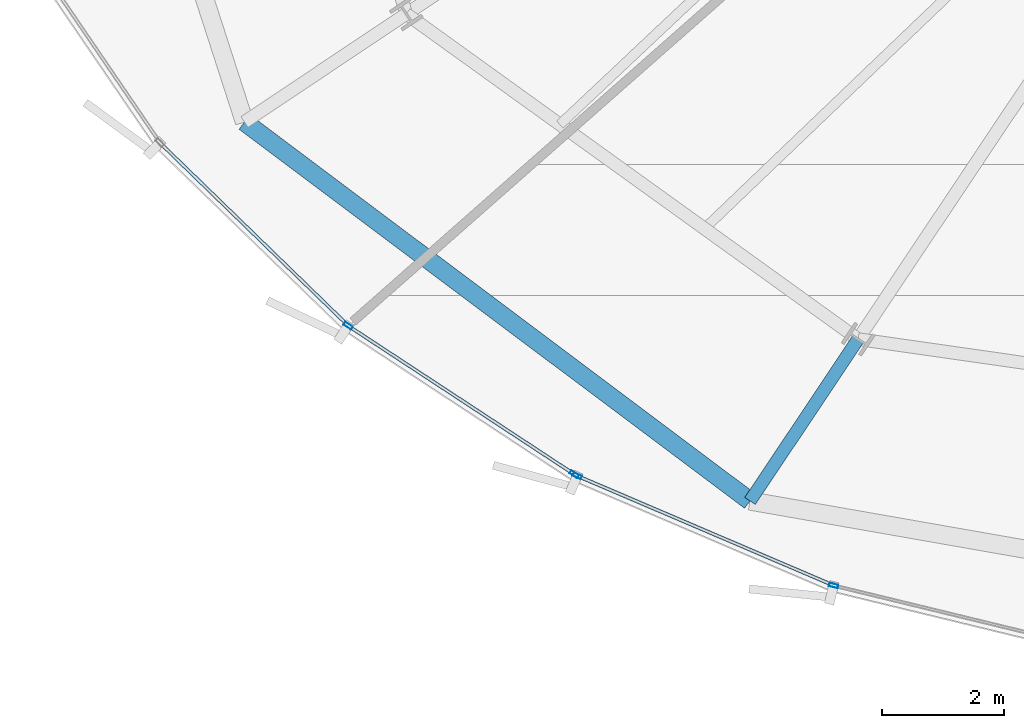
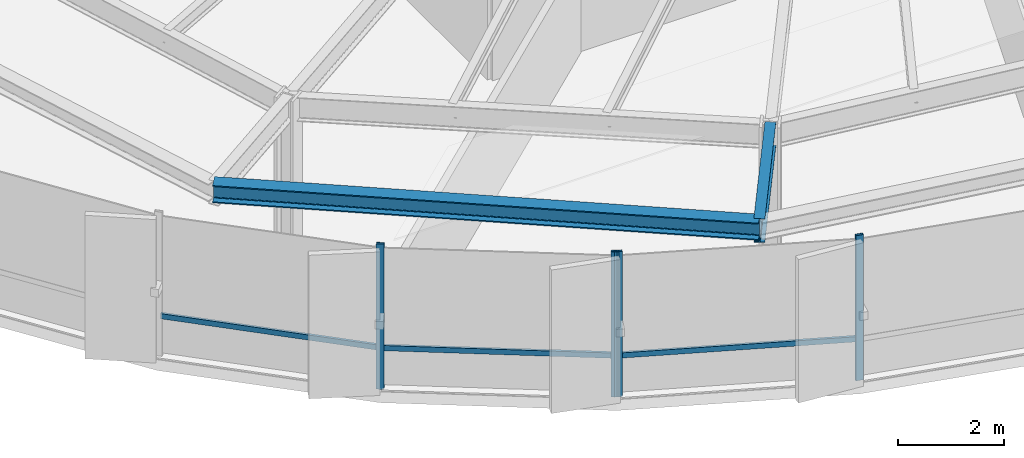
# One storey, part 2 of 35: 7 members, 2 beams, 2 elements without a shape of their own.
"""IFC4 building model written with IfcOpenShell, lengths in metres."""

from ifc_helpers import new_model, si_unit, direction, frame, origin, origin_2d, place, context, subcontext, project, spatial, hollow_rectangle, i_section, extrude, source, transform, mapped, material, layer, layer_set, material_profile, profile_set, type_object, element, aggregate, save


model = new_model("IFC4")

# Units and contexts
model_context = context("Model", 3, precision=1e-05, world=origin(), true_north=direction((0.0, 1.0)))
body_context = subcontext(model_context, "Body", "Model", "MODEL_VIEW")
ifc_project = project(units=[si_unit("LENGTHUNIT", "METRE"), si_unit("AREAUNIT", "SQUARE_METRE"), si_unit("VOLUMEUNIT", "CUBIC_METRE"), si_unit("PLANEANGLEUNIT", "RADIAN"), si_unit("MASSUNIT", "GRAM", prefix="KILO"), si_unit("THERMODYNAMICTEMPERATUREUNIT", "KELVIN")], contexts=[model_context])

# Site, building, storey
site_placement = place(None, origin())
site = spatial("IfcSite", under=ifc_project, at=site_placement, CompositionType="ELEMENT")
building_placement = place(site_placement, origin())
building = spatial("IfcBuilding", under=site, at=building_placement, Name="Kethvar Cultural Tower", CompositionType="ELEMENT")
storey_placement = place(building_placement, frame((0.0, 0.0, 100.0)))
storey = spatial("IfcBuildingStorey", under=building, at=storey_placement, Name="L24", CompositionType="ELEMENT", Elevation=100.0)

# Beams
ifc_material_1 = material(Name="Steel S355J2", Category="steel")
ifc_material_profile_1 = material_profile(ifc_material_1, i_section(OverallWidth=0.2099609375, OverallDepth=0.550048828125, WebThickness=0.010986328125, FlangeThickness=0.01708984375, FilletRadius=0.02392578125, at=origin_2d()), Name="Steel S355J2 — IPE550")
ifc_profile_set_1 = profile_set([ifc_material_profile_1], Name="Steel S355J2 — IPE550")
beam_type_1 = type_object("IfcBeamType", Name="BM-IPE550", PredefinedType="BEAM", material=ifc_profile_set_1)
shared_shape_1 = source(origin(), body_context, "Body", "SweptSolid", [
    extrude(i_section(OverallWidth=0.2099609375, OverallDepth=0.550048828125, WebThickness=0.010986328125, FlangeThickness=0.01708984375, FilletRadius=0.02392578125, at=origin_2d()), origin(), (0.0, 0.0, 1.0), 3.199951171875),
])
beam_1_placement = place(storey_placement, frame((34.350830078125, 9.16845703125, 3.072998046875), z_axis=(-0.555580212716, -0.831462943996, 0.0), x_axis=(0.831462943996, -0.555580212716, 0.0)))
element("IfcBeam", 1, at=beam_1_placement, inside=storey, type_object=beam_type_1, Name="L24 Perimeter Cantilever Beam RC-11", PredefinedType="BEAM", context=body_context, shape_type="MappedRepresentation", body=[
    mapped(shared_shape_1, transform((0.0, 0.0, 0.0), scale=1.0)),
])
ifc_material_profile_2 = material_profile(ifc_material_1, i_section(OverallWidth=0.300048828125, OverallDepth=0.39990234375, WebThickness=0.013427734375, FlangeThickness=0.02392578125, FilletRadius=0.027099609375, at=origin_2d()), Name="Steel S355J2 — HEB400")
ifc_profile_set_2 = profile_set([ifc_material_profile_2], Name="Steel S355J2 — HEB400")
beam_type_2 = type_object("IfcBeamType", Name="BM-SP400", PredefinedType="SPANDREL", material=ifc_profile_set_2)
shared_shape_2 = source(origin(), body_context, "Body", "SweptSolid", [
    extrude(i_section(OverallWidth=0.300048828125, OverallDepth=0.39990234375, WebThickness=0.013427734375, FlangeThickness=0.02392578125, FilletRadius=0.027099609375, at=origin_2d()), origin(), (0.0, 0.0, 1.0), 10.38916015625),
])
beam_2_placement = place(storey_placement, frame((24.260009765625, 12.7392578125, 3.14794921875), z_axis=(0.800152249906, -0.599796946449, 0.0), x_axis=(0.599796946449, 0.800152249906, 0.0)))
element("IfcBeam", 2, at=beam_2_placement, inside=storey, type_object=beam_type_2, Name="L24 Perimeter Spandrel Beam SP-10", PredefinedType="SPANDREL", context=body_context, shape_type="MappedRepresentation", body=[
    mapped(shared_shape_2, transform((0.0, 0.0, 0.0), scale=1.0)),
])

# Curtain wall, members
ifc_material_2 = material(Name="Aluminium 6063-T6", Category="aluminium")
ifc_layer = layer(ifc_material_2, 0.179931640625, Name="Aluminium 6063-T6", Category="aluminium")
ifc_layer_set = layer_set([ifc_layer], Name="Aluminium 6063-T6 (180 mm)")
curtain_wall_type = type_object("IfcCurtainWallType", Name="CW-SYS-03-Z2", PredefinedType="NOTDEFINED", material=ifc_layer_set)
curtain_wall_1_placement = place(storey_placement, origin())
curtain_wall_1 = element("IfcCurtainWall", 3, at=curtain_wall_1_placement, inside=storey, type_object=curtain_wall_type, Name="L24 Curtain Wall Run 04", PredefinedType="NOTDEFINED")
ifc_material_profile_3 = material_profile(ifc_material_2, hollow_rectangle(XDim=0.06005859375, YDim=0.14990234375, WallThickness=0.0048828125, at=origin_2d()), Name="Aluminium 6063-T6 — RHS150x60x5")
ifc_profile_set_3 = profile_set([ifc_material_profile_3], Name="Aluminium 6063-T6 — RHS150x60x5")
member_type_1 = type_object("IfcMemberType", Name="CW-SYS-03-Z2-MUL", PredefinedType="MULLION", material=ifc_profile_set_3)
shared_shape_3 = source(origin(), body_context, "Body", "SweptSolid", [
    extrude(hollow_rectangle(XDim=0.06005859375, YDim=0.14990234375, WallThickness=0.0048828125, at=origin_2d()), origin(), (0.0, 0.0, 1.0), 3.35009765625),
])
member_1_placement = place(storey_placement, frame((25.964599609375, 9.388427734375, 0.0), z_axis=(0.0, 0.0, 1.0), x_axis=(0.548993642483, 0.835826525371, 0.0)))
member_1 = element("IfcMember", 4, at=member_1_placement, type_object=member_type_1, Name="CW-L24-R04 Mullion 6", PredefinedType="MULLION", context=body_context, shape_type="MappedRepresentation", body=[
    mapped(shared_shape_3, transform((0.0, 0.0, 0.0), scale=1.0)),
])
member_2_placement = place(storey_placement, frame((29.680908203125, 6.947509765625, 0.0), z_axis=(0.0, 0.0, 1.0), x_axis=(0.548993642483, 0.835826525371, 0.0)))
member_2 = element("IfcMember", 5, at=member_2_placement, type_object=member_type_1, Name="CW-L24-R04 Mullion 7", PredefinedType="MULLION", context=body_context, shape_type="MappedRepresentation", body=[
    mapped(shared_shape_3, transform((0.0, 0.0, 0.0), scale=1.0)),
])

curtain_wall_2_placement = place(storey_placement, origin())
curtain_wall_2 = element("IfcCurtainWall", 6, at=curtain_wall_2_placement, inside=storey, type_object=curtain_wall_type, Name="L24 Curtain Wall Run 05", PredefinedType="NOTDEFINED")
member_3_placement = place(storey_placement, frame((29.7314453125, 6.92041015625, 0.0), z_axis=(0.0, 0.0, 1.0), x_axis=(0.393043373047, 0.919519932848, 0.0)))
member_3 = element("IfcMember", 7, at=member_3_placement, type_object=member_type_1, Name="CW-L24-R05 Mullion 1", PredefinedType="MULLION", context=body_context, shape_type="MappedRepresentation", body=[
    mapped(shared_shape_3, transform((0.0, 0.0, 0.0), scale=1.0)),
])
member_4_placement = place(storey_placement, frame((33.947509765625, 5.11669921875, 0.0), z_axis=(0.0, 0.0, 1.0), x_axis=(0.236091980139, 0.971730712139, 0.0)))
member_4 = element("IfcMember", 8, at=member_4_placement, type_object=member_type_1, Name="CW-L24-R05 Mullion 2", PredefinedType="MULLION", context=body_context, shape_type="MappedRepresentation", body=[
    mapped(shared_shape_3, transform((0.0, 0.0, 0.0), scale=1.0)),
])

# Member
ifc_material_profile_4 = material_profile(ifc_material_2, hollow_rectangle(XDim=0.054931640625, YDim=0.1201171875, WallThickness=0.00390625, at=origin_2d()), Name="Aluminium 6063-T6 — RHS120x55x4")
ifc_profile_set_4 = profile_set([ifc_material_profile_4], Name="Aluminium 6063-T6 — RHS120x55x4")
member_type_2 = type_object("IfcMemberType", Name="CW-SYS-03-Z2-TRN", PredefinedType="USERDEFINED", material=ifc_profile_set_4)
shared_shape_4 = source(origin(), body_context, "Body", "SweptSolid", [
    extrude(hollow_rectangle(XDim=0.054931640625, YDim=0.1201171875, WallThickness=0.00390625, at=origin_2d()), origin(), (0.0, 0.0, 1.0), 4.25439453125),
])
member_5_placement = place(storey_placement, frame((22.89892578125, 12.369384765625, 0.949951171875), z_axis=(0.717303963363, -0.696760377852, 0.0), x_axis=(0.696760377852, 0.717303963363, 0.0)))
member_5 = element("IfcMember", 9, at=member_5_placement, type_object=member_type_2, Name="CW-L24-R04 Transom 5", ObjectType="TRANSOM", PredefinedType="USERDEFINED", context=body_context, shape_type="MappedRepresentation", body=[
    mapped(shared_shape_4, transform((0.0, 0.0, 0.0), scale=1.0)),
])

shared_shape_5 = source(origin(), body_context, "Body", "SweptSolid", [
    extrude(hollow_rectangle(XDim=0.054931640625, YDim=0.1201171875, WallThickness=0.00390625, at=origin_2d()), origin(), (0.0, 0.0, 1.0), 4.39892578125),
])
member_6_placement = place(storey_placement, frame((26.000732421875, 9.36474609375, 0.949951171875), z_axis=(0.835847368942, -0.548961907451, 0.0), x_axis=(0.548961907451, 0.835847368942, 0.0)))
member_6 = element("IfcMember", 10, at=member_6_placement, type_object=member_type_2, Name="CW-L24-R04 Transom 6", ObjectType="TRANSOM", PredefinedType="USERDEFINED", context=body_context, shape_type="MappedRepresentation", body=[
    mapped(shared_shape_5, transform((0.0, 0.0, 0.0), scale=1.0)),
])

aggregate(curtain_wall_1, [member_1, member_2, member_5, member_6])

shared_shape_6 = source(origin(), body_context, "Body", "SweptSolid", [
    extrude(hollow_rectangle(XDim=0.054931640625, YDim=0.1201171875, WallThickness=0.00390625, at=origin_2d()), origin(), (0.0, 0.0, 1.0), 4.55712890625),
])
member_7_placement = place(storey_placement, frame((29.7353515625, 6.9189453125, 0.949951171875), z_axis=(0.919513167517, -0.393059200074, 0.0), x_axis=(0.393059200074, 0.919513167517, 0.0)))
member_7 = element("IfcMember", 11, at=member_7_placement, type_object=member_type_2, Name="CW-L24-R05 Transom 1", ObjectType="TRANSOM", PredefinedType="USERDEFINED", context=body_context, shape_type="MappedRepresentation", body=[
    mapped(shared_shape_6, transform((0.0, 0.0, 0.0), scale=1.0)),
])

aggregate(curtain_wall_2, [member_3, member_4, member_7])

save(model, "model.ifc")
